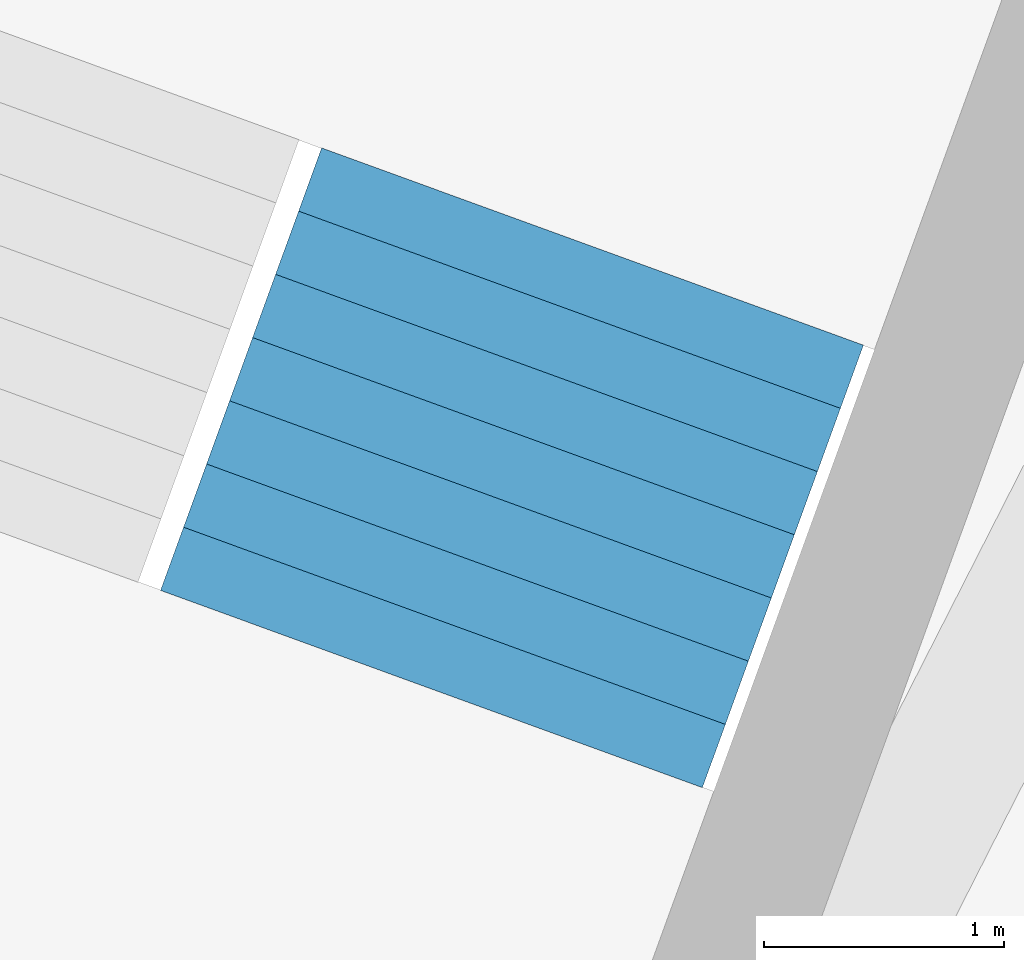
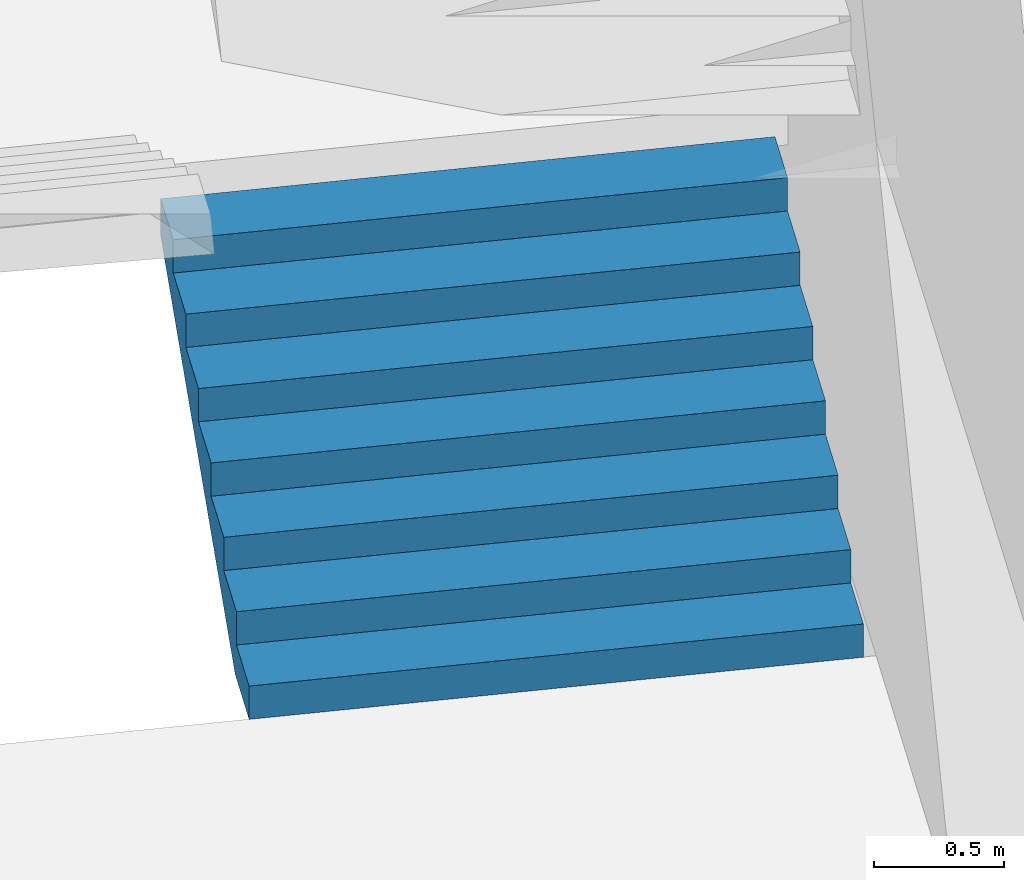
# One storey, part 47 of 73: 1 stair flight, 1 element without a shape of its own.
"""IFC4 building model written with IfcOpenShell, lengths in metres."""

from ifc_helpers import new_model, si_unit, direction, frame, origin, place, context, subcontext, project, spatial, triangles, material, type_object, element, aggregate, save


model = new_model("IFC4")

# Units and contexts
model_context = context("Model", 3, precision=1e-05, world=origin(), true_north=direction((0.0, 1.0)))
body_context = subcontext(model_context, "Body", "Model", "MODEL_VIEW")
ifc_project = project(units=[si_unit("LENGTHUNIT", "METRE"), si_unit("AREAUNIT", "SQUARE_METRE"), si_unit("VOLUMEUNIT", "CUBIC_METRE"), si_unit("PLANEANGLEUNIT", "RADIAN"), si_unit("MASSUNIT", "GRAM", prefix="KILO")], contexts=[model_context])

# Site, building, storey
site_placement = place(None, origin())
site = spatial("IfcSite", under=ifc_project, at=site_placement, CompositionType="ELEMENT")
building_placement = place(site_placement, origin())
building = spatial("IfcBuilding", under=site, at=building_placement, Name="Lantaw Convention Tower", CompositionType="ELEMENT")
storey_placement = place(building_placement, frame((0.0, 0.0, 22.0)))
storey = spatial("IfcBuildingStorey", under=building, at=storey_placement, Name="L03", CompositionType="ELEMENT", Elevation=22.0)

# Stair, stair flight
ifc_material = material(Name="Concrete C35/45", Category="concrete")
stair_type = type_object("IfcStairType", Name="Exit stair 2400 riser 156.25 in 4 flights", PredefinedType="HALF_TURN_STAIR", material=ifc_material)
stair_placement = place(storey_placement, origin())
stair = element("IfcStair", 1, at=stair_placement, inside=storey, type_object=stair_type, Name="Podium exit stair P5 L03", PredefinedType="HALF_TURN_STAIR")
stair_flight_type = type_object("IfcStairFlightType", Name="Stair flight 2400 riser 156.25", PredefinedType="STRAIGHT", material=ifc_material)
stair_flight_placement = place(storey_placement, frame((10.476318359375, 25.128662109375, 0.0), z_axis=(0.0, 0.0, 1.0), x_axis=(0.342020143326, 0.939692620786, 0.0)))
stair_flight = element("IfcStairFlight", 2, at=stair_flight_placement, type_object=stair_flight_type, Name="P5 flight 1", NumberOfRisers=8, NumberOfTreads=7, PredefinedType="STRAIGHT", RiserHeight=0.15625, TreadLength=0.28, context=body_context, shape_type="Tessellation", body=[
    triangles([(0.0, 1.199951171875, 0.0), (0.0, 1.199951171875, 0.15625), (0.28, 1.199951171875, 0.0), (0.28, 1.199951171875, 0.15625), (0.28, 1.199951171875, 0.3125), (0.3076200632058044, 1.199951171875, 0.0), (0.3076200632058044, 1.199951171875, 0.3125), (0.56, 1.199951171875, 0.14083701830033238), (0.56, 1.199951171875, 0.3125), (0.56, 1.199951171875, 0.46875), (0.8400000000000001, 1.199951171875, 0.29708701830033235), (0.8400000000000001, 1.199951171875, 0.46875), (0.8400000000000001, 1.199951171875, 0.625), (1.12, 1.199951171875, 0.45333701830033235), (1.12, 1.199951171875, 0.625), (1.12, 1.199951171875, 0.78125), (1.4000000000000001, 1.199951171875, 0.6095870183003324), (1.4000000000000001, 1.199951171875, 0.78125), (1.4000000000000001, 1.199951171875, 0.9375), (1.6800000000000002, 1.199951171875, 0.7658370183003324), (1.6800000000000002, 1.199951171875, 0.9375), (1.6800000000000002, 1.199951171875, 1.09375), (1.9600000000000002, 1.199951171875, 0.9220870183003324), (1.9600000000000002, 1.199951171875, 1.09375), (0.0, -1.199951171875, 0.0), (0.0, -1.199951171875, 0.15625), (0.28, -1.199951171875, 0.0), (0.28, -1.199951171875, 0.15625), (0.28, -1.199951171875, 0.3125), (0.3076200632058044, -1.199951171875, 0.0), (0.3076200632058044, -1.199951171875, 0.3125), (0.56, -1.199951171875, 0.14083701830033238), (0.56, -1.199951171875, 0.3125), (0.56, -1.199951171875, 0.46875), (0.8400000000000001, -1.199951171875, 0.29708701830033235), (0.8400000000000001, -1.199951171875, 0.46875), (0.8400000000000001, -1.199951171875, 0.625), (1.12, -1.199951171875, 0.45333701830033235), (1.12, -1.199951171875, 0.625), (1.12, -1.199951171875, 0.78125), (1.4000000000000001, -1.199951171875, 0.6095870183003324), (1.4000000000000001, -1.199951171875, 0.78125), (1.4000000000000001, -1.199951171875, 0.9375), (1.6800000000000002, -1.199951171875, 0.7658370183003324), (1.6800000000000002, -1.199951171875, 0.9375), (1.6800000000000002, -1.199951171875, 1.09375), (1.9600000000000002, -1.199951171875, 0.9220870183003324), (1.9600000000000002, -1.199951171875, 1.09375), (0.0, 0.239990234375, 0.15625), (0.0, 0.239990234375, 0.0), (0.0, 0.1919921875, 0.15625), (0.0, 0.1919921875, 0.0), (0.0, 0.143994140625, 0.15625), (0.0, 0.143994140625, 0.0), (0.0, 0.09599609375, 0.15625), (0.0, 0.09599609375, 0.0), (0.0, 0.047998046875, 0.15625), (0.0, 0.047998046875, 0.0), (0.0, 0.0, 0.15625), (0.0, 0.0, 0.0), (0.0, -0.047998046875, 0.15625), (0.0, -0.047998046875, 0.0), (0.0, -0.09599609375, 0.15625), (0.0, -0.09599609375, 0.0), (0.0, -0.143994140625, 0.15625), (0.0, -0.143994140625, 0.0), (0.0, -0.1919921875, 0.15625), (0.0, -0.1919921875, 0.0), (0.0, -0.239990234375, 0.15625), (0.0, -0.239990234375, 0.0), (0.28, 0.239990234375, 0.3125), (0.28, 0.239990234375, 0.15625), (0.28, 0.1919921875, 0.3125), (0.28, 0.1919921875, 0.15625), (0.28, 0.143994140625, 0.3125), (0.28, 0.143994140625, 0.15625), (0.28, 0.09599609375, 0.3125), (0.28, 0.09599609375, 0.15625), (0.28, 0.047998046875, 0.3125), (0.28, 0.047998046875, 0.15625), (0.28, 0.0, 0.3125), (0.28, 0.0, 0.15625), (0.28, -0.047998046875, 0.3125), (0.28, -0.047998046875, 0.15625), (0.28, -0.09599609375, 0.3125), (0.28, -0.09599609375, 0.15625), (0.28, -0.143994140625, 0.3125), (0.28, -0.143994140625, 0.15625), (0.28, -0.1919921875, 0.3125), (0.28, -0.1919921875, 0.15625), (0.28, -0.239990234375, 0.3125), (0.28, -0.239990234375, 0.15625), (0.56, 0.239990234375, 0.46875), (0.56, 0.239990234375, 0.3125), (0.56, 0.1919921875, 0.46875), (0.56, 0.1919921875, 0.3125), (0.56, 0.143994140625, 0.46875), (0.56, 0.143994140625, 0.3125), (0.56, 0.09599609375, 0.46875), (0.56, 0.09599609375, 0.3125), (0.56, 0.047998046875, 0.46875), (0.56, 0.047998046875, 0.3125), (0.56, 0.0, 0.46875), (0.56, 0.0, 0.3125), (0.56, -0.047998046875, 0.46875), (0.56, -0.047998046875, 0.3125), (0.56, -0.09599609375, 0.46875), (0.56, -0.09599609375, 0.3125), (0.56, -0.143994140625, 0.46875), (0.56, -0.143994140625, 0.3125), (0.56, -0.1919921875, 0.46875), (0.56, -0.1919921875, 0.3125), (0.56, -0.239990234375, 0.46875), (0.56, -0.239990234375, 0.3125), (0.8400000000000001, 0.239990234375, 0.625), (0.8400000000000001, 0.239990234375, 0.46875), (0.8400000000000001, 0.1919921875, 0.625), (0.8400000000000001, 0.1919921875, 0.46875), (0.8400000000000001, 0.143994140625, 0.625), (0.8400000000000001, 0.143994140625, 0.46875), (0.8400000000000001, 0.09599609375, 0.625), (0.8400000000000001, 0.09599609375, 0.46875), (0.8400000000000001, 0.047998046875, 0.625), (0.8400000000000001, 0.047998046875, 0.46875), (0.8400000000000001, 0.0, 0.625), (0.8400000000000001, 0.0, 0.46875), (0.8400000000000001, -0.047998046875, 0.625), (0.8400000000000001, -0.047998046875, 0.46875), (0.8400000000000001, -0.09599609375, 0.625), (0.8400000000000001, -0.09599609375, 0.46875), (0.8400000000000001, -0.143994140625, 0.625), (0.8400000000000001, -0.143994140625, 0.46875), (0.8400000000000001, -0.1919921875, 0.625), (0.8400000000000001, -0.1919921875, 0.46875), (0.8400000000000001, -0.239990234375, 0.625), (0.8400000000000001, -0.239990234375, 0.46875), (1.12, 0.239990234375, 0.78125), (1.12, 0.239990234375, 0.625), (1.12, 0.1919921875, 0.78125), (1.12, 0.1919921875, 0.625), (1.12, 0.143994140625, 0.78125), (1.12, 0.143994140625, 0.625), (1.12, 0.09599609375, 0.78125), (1.12, 0.09599609375, 0.625), (1.12, 0.047998046875, 0.78125), (1.12, 0.047998046875, 0.625), (1.12, 0.0, 0.78125), (1.12, 0.0, 0.625), (1.12, -0.047998046875, 0.78125), (1.12, -0.047998046875, 0.625), (1.12, -0.09599609375, 0.78125), (1.12, -0.09599609375, 0.625), (1.12, -0.143994140625, 0.78125), (1.12, -0.143994140625, 0.625), (1.12, -0.1919921875, 0.78125), (1.12, -0.1919921875, 0.625), (1.12, -0.239990234375, 0.78125), (1.12, -0.239990234375, 0.625), (1.4000000000000001, 0.239990234375, 0.9375), (1.4000000000000001, 0.239990234375, 0.78125), (1.4000000000000001, 0.1919921875, 0.9375), (1.4000000000000001, 0.1919921875, 0.78125), (1.4000000000000001, 0.143994140625, 0.9375), (1.4000000000000001, 0.143994140625, 0.78125), (1.4000000000000001, 0.09599609375, 0.9375), (1.4000000000000001, 0.09599609375, 0.78125), (1.4000000000000001, 0.047998046875, 0.9375), (1.4000000000000001, 0.047998046875, 0.78125), (1.4000000000000001, 0.0, 0.9375), (1.4000000000000001, 0.0, 0.78125), (1.4000000000000001, -0.047998046875, 0.9375), (1.4000000000000001, -0.047998046875, 0.78125), (1.4000000000000001, -0.09599609375, 0.9375), (1.4000000000000001, -0.09599609375, 0.78125), (1.4000000000000001, -0.143994140625, 0.9375), (1.4000000000000001, -0.143994140625, 0.78125), (1.4000000000000001, -0.1919921875, 0.9375), (1.4000000000000001, -0.1919921875, 0.78125), (1.4000000000000001, -0.239990234375, 0.9375), (1.4000000000000001, -0.239990234375, 0.78125), (1.6800000000000002, 0.239990234375, 1.09375), (1.6800000000000002, 0.239990234375, 0.9375), (1.6800000000000002, 0.1919921875, 1.09375), (1.6800000000000002, 0.1919921875, 0.9375), (1.6800000000000002, 0.143994140625, 1.09375), (1.6800000000000002, 0.143994140625, 0.9375), (1.6800000000000002, 0.09599609375, 1.09375), (1.6800000000000002, 0.09599609375, 0.9375), (1.6800000000000002, 0.047998046875, 1.09375), (1.6800000000000002, 0.047998046875, 0.9375), (1.6800000000000002, 0.0, 1.09375), (1.6800000000000002, 0.0, 0.9375), (1.6800000000000002, -0.047998046875, 1.09375), (1.6800000000000002, -0.047998046875, 0.9375), (1.6800000000000002, -0.09599609375, 1.09375), (1.6800000000000002, -0.09599609375, 0.9375), (1.6800000000000002, -0.143994140625, 1.09375), (1.6800000000000002, -0.143994140625, 0.9375), (1.6800000000000002, -0.1919921875, 1.09375), (1.6800000000000002, -0.1919921875, 0.9375), (1.6800000000000002, -0.239990234375, 1.09375), (1.6800000000000002, -0.239990234375, 0.9375), (0.3076200632058044, 0.239990234375, 0.3125), (0.3076200632058044, 0.1919921875, 0.3125), (0.3076200632058044, 0.143994140625, 0.3125), (0.3076200632058044, 0.09599609375, 0.3125), (0.3076200632058044, 0.047998046875, 0.3125), (0.3076200632058044, 0.0, 0.3125), (0.3076200632058044, -0.047998046875, 0.3125), (0.3076200632058044, -0.09599609375, 0.3125), (0.3076200632058044, -0.143994140625, 0.3125), (0.3076200632058044, -0.1919921875, 0.3125), (0.3076200632058044, -0.239990234375, 0.3125), (1.9600000000000002, 0.239990234375, 1.09375), (1.9600000000000002, 0.1919921875, 1.09375), (1.9600000000000002, 0.143994140625, 1.09375), (1.9600000000000002, 0.09599609375, 1.09375), (1.9600000000000002, 0.047998046875, 1.09375), (1.9600000000000002, 0.0, 1.09375), (1.9600000000000002, -0.047998046875, 1.09375), (1.9600000000000002, -0.09599609375, 1.09375), (1.9600000000000002, -0.143994140625, 1.09375), (1.9600000000000002, -0.1919921875, 1.09375), (1.9600000000000002, -0.239990234375, 1.09375), (1.9600000000000002, 0.239990234375, 0.9220870183003324), (1.9600000000000002, 0.1919921875, 0.9220870183003324), (1.9600000000000002, 0.143994140625, 0.9220870183003324), (1.9600000000000002, 0.09599609375, 0.9220870183003324), (1.9600000000000002, 0.047998046875, 0.9220870183003324), (1.9600000000000002, 0.0, 0.9220870183003324), (1.9600000000000002, -0.047998046875, 0.9220870183003324), (1.9600000000000002, -0.09599609375, 0.9220870183003324), (1.9600000000000002, -0.143994140625, 0.9220870183003324), (1.9600000000000002, -0.1919921875, 0.9220870183003324), (1.9600000000000002, -0.239990234375, 0.9220870183003324), (1.6800000000000002, 0.239990234375, 0.7658370183003324), (1.6800000000000002, 0.1919921875, 0.7658370183003324), (1.6800000000000002, 0.143994140625, 0.7658370183003324), (1.6800000000000002, 0.09599609375, 0.7658370183003324), (1.6800000000000002, 0.047998046875, 0.7658370183003324), (1.6800000000000002, 0.0, 0.7658370183003324), (1.6800000000000002, -0.047998046875, 0.7658370183003324), (1.6800000000000002, -0.09599609375, 0.7658370183003324), (1.6800000000000002, -0.143994140625, 0.7658370183003324), (1.6800000000000002, -0.1919921875, 0.7658370183003324), (1.6800000000000002, -0.239990234375, 0.7658370183003324), (1.4000000000000001, 0.239990234375, 0.6095870183003324), (1.4000000000000001, 0.1919921875, 0.6095870183003324), (1.4000000000000001, 0.143994140625, 0.6095870183003324), (1.4000000000000001, 0.09599609375, 0.6095870183003324), (1.4000000000000001, 0.047998046875, 0.6095870183003324), (1.4000000000000001, 0.0, 0.6095870183003324), (1.4000000000000001, -0.047998046875, 0.6095870183003324), (1.4000000000000001, -0.09599609375, 0.6095870183003324), (1.4000000000000001, -0.143994140625, 0.6095870183003324), (1.4000000000000001, -0.1919921875, 0.6095870183003324), (1.4000000000000001, -0.239990234375, 0.6095870183003324), (1.12, 0.239990234375, 0.45333701830033235), (1.12, 0.1919921875, 0.45333701830033235), (1.12, 0.143994140625, 0.45333701830033235), (1.12, 0.09599609375, 0.45333701830033235), (1.12, 0.047998046875, 0.45333701830033235), (1.12, 0.0, 0.45333701830033235), (1.12, -0.047998046875, 0.45333701830033235), (1.12, -0.09599609375, 0.45333701830033235), (1.12, -0.143994140625, 0.45333701830033235), (1.12, -0.1919921875, 0.45333701830033235), (1.12, -0.239990234375, 0.45333701830033235), (0.8400000000000001, 0.239990234375, 0.29708701830033235), (0.8400000000000001, 0.1919921875, 0.29708701830033235), (0.8400000000000001, 0.143994140625, 0.29708701830033235), (0.8400000000000001, 0.09599609375, 0.29708701830033235), (0.8400000000000001, 0.047998046875, 0.29708701830033235), (0.8400000000000001, 0.0, 0.29708701830033235), (0.8400000000000001, -0.047998046875, 0.29708701830033235), (0.8400000000000001, -0.09599609375, 0.29708701830033235), (0.8400000000000001, -0.143994140625, 0.29708701830033235), (0.8400000000000001, -0.1919921875, 0.29708701830033235), (0.8400000000000001, -0.239990234375, 0.29708701830033235), (0.56, 0.239990234375, 0.14083701830033238), (0.56, 0.1919921875, 0.14083701830033238), (0.56, 0.143994140625, 0.14083701830033238), (0.56, 0.09599609375, 0.14083701830033238), (0.56, 0.047998046875, 0.14083701830033238), (0.56, 0.0, 0.14083701830033238), (0.56, -0.047998046875, 0.14083701830033238), (0.56, -0.09599609375, 0.14083701830033238), (0.56, -0.143994140625, 0.14083701830033238), (0.56, -0.1919921875, 0.14083701830033238), (0.56, -0.239990234375, 0.14083701830033238), (0.3076200632058044, 0.239990234375, 0.0), (0.3076200632058044, 0.1919921875, 0.0), (0.3076200632058044, 0.143994140625, 0.0), (0.3076200632058044, 0.09599609375, 0.0), (0.3076200632058044, 0.047998046875, 0.0), (0.3076200632058044, 0.0, 0.0), (0.3076200632058044, -0.047998046875, 0.0), (0.3076200632058044, -0.09599609375, 0.0), (0.3076200632058044, -0.143994140625, 0.0), (0.3076200632058044, -0.1919921875, 0.0), (0.3076200632058044, -0.239990234375, 0.0), (0.28, 0.239990234375, 0.0), (0.28, 0.1919921875, 0.0), (0.28, 0.143994140625, 0.0), (0.28, 0.09599609375, 0.0), (0.28, 0.047998046875, 0.0), (0.28, 0.0, 0.0), (0.28, -0.047998046875, 0.0), (0.28, -0.09599609375, 0.0), (0.28, -0.143994140625, 0.0), (0.28, -0.1919921875, 0.0), (0.28, -0.239990234375, 0.0)], [[1, 4, 3], [1, 2, 4], [3, 4, 6], [4, 7, 6], [4, 5, 7], [6, 9, 8], [6, 7, 9], [8, 9, 11], [9, 12, 11], [9, 10, 12], [11, 12, 14], [12, 15, 14], [12, 13, 15], [14, 15, 17], [15, 18, 17], [15, 16, 18], [17, 18, 20], [18, 21, 20], [18, 19, 21], [20, 21, 23], [21, 24, 23], [21, 22, 24], [25, 27, 28], [25, 28, 26], [27, 30, 28], [28, 30, 31], [28, 31, 29], [30, 32, 33], [30, 33, 31], [32, 35, 33], [33, 35, 36], [33, 36, 34], [35, 38, 36], [36, 38, 39], [36, 39, 37], [38, 41, 39], [39, 41, 42], [39, 42, 40], [41, 44, 42], [42, 44, 45], [42, 45, 43], [44, 47, 45], [45, 47, 48], [45, 48, 46], [1, 49, 2], [1, 50, 49], [50, 51, 49], [50, 52, 51], [52, 53, 51], [52, 54, 53], [54, 55, 53], [54, 56, 55], [56, 57, 55], [56, 58, 57], [58, 59, 57], [58, 60, 59], [60, 61, 59], [60, 62, 61], [62, 63, 61], [62, 64, 63], [64, 65, 63], [64, 66, 65], [66, 67, 65], [66, 68, 67], [68, 69, 67], [68, 70, 69], [70, 26, 69], [70, 25, 26], [4, 71, 5], [4, 72, 71], [72, 73, 71], [72, 74, 73], [74, 75, 73], [74, 76, 75], [76, 77, 75], [76, 78, 77], [78, 79, 77], [78, 80, 79], [80, 81, 79], [80, 82, 81], [82, 83, 81], [82, 84, 83], [84, 85, 83], [84, 86, 85], [86, 87, 85], [86, 88, 87], [88, 89, 87], [88, 90, 89], [90, 91, 89], [90, 92, 91], [92, 29, 91], [92, 28, 29], [9, 93, 10], [9, 94, 93], [94, 95, 93], [94, 96, 95], [96, 97, 95], [96, 98, 97], [98, 99, 97], [98, 100, 99], [100, 101, 99], [100, 102, 101], [102, 103, 101], [102, 104, 103], [104, 105, 103], [104, 106, 105], [106, 107, 105], [106, 108, 107], [108, 109, 107], [108, 110, 109], [110, 111, 109], [110, 112, 111], [112, 113, 111], [112, 114, 113], [114, 34, 113], [114, 33, 34], [12, 115, 13], [12, 116, 115], [116, 117, 115], [116, 118, 117], [118, 119, 117], [118, 120, 119], [120, 121, 119], [120, 122, 121], [122, 123, 121], [122, 124, 123], [124, 125, 123], [124, 126, 125], [126, 127, 125], [126, 128, 127], [128, 129, 127], [128, 130, 129], [130, 131, 129], [130, 132, 131], [132, 133, 131], [132, 134, 133], [134, 135, 133], [134, 136, 135], [136, 37, 135], [136, 36, 37], [15, 137, 16], [15, 138, 137], [138, 139, 137], [138, 140, 139], [140, 141, 139], [140, 142, 141], [142, 143, 141], [142, 144, 143], [144, 145, 143], [144, 146, 145], [146, 147, 145], [146, 148, 147], [148, 149, 147], [148, 150, 149], [150, 151, 149], [150, 152, 151], [152, 153, 151], [152, 154, 153], [154, 155, 153], [154, 156, 155], [156, 157, 155], [156, 158, 157], [158, 40, 157], [158, 39, 40], [18, 159, 19], [18, 160, 159], [160, 161, 159], [160, 162, 161], [162, 163, 161], [162, 164, 163], [164, 165, 163], [164, 166, 165], [166, 167, 165], [166, 168, 167], [168, 169, 167], [168, 170, 169], [170, 171, 169], [170, 172, 171], [172, 173, 171], [172, 174, 173], [174, 175, 173], [174, 176, 175], [176, 177, 175], [176, 178, 177], [178, 179, 177], [178, 180, 179], [180, 43, 179], [180, 42, 43], [21, 181, 22], [21, 182, 181], [182, 183, 181], [182, 184, 183], [184, 185, 183], [184, 186, 185], [186, 187, 185], [186, 188, 187], [188, 189, 187], [188, 190, 189], [190, 191, 189], [190, 192, 191], [192, 193, 191], [192, 194, 193], [194, 195, 193], [194, 196, 195], [196, 197, 195], [196, 198, 197], [198, 199, 197], [198, 200, 199], [200, 201, 199], [200, 202, 201], [202, 46, 201], [202, 45, 46], [2, 72, 4], [2, 49, 72], [49, 74, 72], [49, 51, 74], [51, 76, 74], [51, 53, 76], [53, 78, 76], [53, 55, 78], [55, 80, 78], [55, 57, 80], [57, 82, 80], [57, 59, 82], [59, 84, 82], [59, 61, 84], [61, 86, 84], [61, 63, 86], [63, 88, 86], [63, 65, 88], [65, 90, 88], [65, 67, 90], [67, 92, 90], [67, 69, 92], [69, 28, 92], [69, 26, 28], [5, 203, 7], [5, 71, 203], [71, 204, 203], [71, 73, 204], [73, 205, 204], [73, 75, 205], [75, 206, 205], [75, 77, 206], [77, 207, 206], [77, 79, 207], [79, 208, 207], [79, 81, 208], [81, 209, 208], [81, 83, 209], [83, 210, 209], [83, 85, 210], [85, 211, 210], [85, 87, 211], [87, 212, 211], [87, 89, 212], [89, 213, 212], [89, 91, 213], [91, 31, 213], [91, 29, 31], [7, 94, 9], [7, 203, 94], [203, 96, 94], [203, 204, 96], [204, 98, 96], [204, 205, 98], [205, 100, 98], [205, 206, 100], [206, 102, 100], [206, 207, 102], [207, 104, 102], [207, 208, 104], [208, 106, 104], [208, 209, 106], [209, 108, 106], [209, 210, 108], [210, 110, 108], [210, 211, 110], [211, 112, 110], [211, 212, 112], [212, 114, 112], [212, 213, 114], [213, 33, 114], [213, 31, 33], [10, 116, 12], [10, 93, 116], [93, 118, 116], [93, 95, 118], [95, 120, 118], [95, 97, 120], [97, 122, 120], [97, 99, 122], [99, 124, 122], [99, 101, 124], [101, 126, 124], [101, 103, 126], [103, 128, 126], [103, 105, 128], [105, 130, 128], [105, 107, 130], [107, 132, 130], [107, 109, 132], [109, 134, 132], [109, 111, 134], [111, 136, 134], [111, 113, 136], [113, 36, 136], [113, 34, 36], [13, 138, 15], [13, 115, 138], [115, 140, 138], [115, 117, 140], [117, 142, 140], [117, 119, 142], [119, 144, 142], [119, 121, 144], [121, 146, 144], [121, 123, 146], [123, 148, 146], [123, 125, 148], [125, 150, 148], [125, 127, 150], [127, 152, 150], [127, 129, 152], [129, 154, 152], [129, 131, 154], [131, 156, 154], [131, 133, 156], [133, 158, 156], [133, 135, 158], [135, 39, 158], [135, 37, 39], [16, 160, 18], [16, 137, 160], [137, 162, 160], [137, 139, 162], [139, 164, 162], [139, 141, 164], [141, 166, 164], [141, 143, 166], [143, 168, 166], [143, 145, 168], [145, 170, 168], [145, 147, 170], [147, 172, 170], [147, 149, 172], [149, 174, 172], [149, 151, 174], [151, 176, 174], [151, 153, 176], [153, 178, 176], [153, 155, 178], [155, 180, 178], [155, 157, 180], [157, 42, 180], [157, 40, 42], [19, 182, 21], [19, 159, 182], [159, 184, 182], [159, 161, 184], [161, 186, 184], [161, 163, 186], [163, 188, 186], [163, 165, 188], [165, 190, 188], [165, 167, 190], [167, 192, 190], [167, 169, 192], [169, 194, 192], [169, 171, 194], [171, 196, 194], [171, 173, 196], [173, 198, 196], [173, 175, 198], [175, 200, 198], [175, 177, 200], [177, 202, 200], [177, 179, 202], [179, 45, 202], [179, 43, 45], [22, 214, 24], [22, 181, 214], [181, 215, 214], [181, 183, 215], [183, 216, 215], [183, 185, 216], [185, 217, 216], [185, 187, 217], [187, 218, 217], [187, 189, 218], [189, 219, 218], [189, 191, 219], [191, 220, 219], [191, 193, 220], [193, 221, 220], [193, 195, 221], [195, 222, 221], [195, 197, 222], [197, 223, 222], [197, 199, 223], [199, 224, 223], [199, 201, 224], [201, 48, 224], [201, 46, 48], [24, 225, 23], [24, 214, 225], [214, 226, 225], [214, 215, 226], [215, 227, 226], [215, 216, 227], [216, 228, 227], [216, 217, 228], [217, 229, 228], [217, 218, 229], [218, 230, 229], [218, 219, 230], [219, 231, 230], [219, 220, 231], [220, 232, 231], [220, 221, 232], [221, 233, 232], [221, 222, 233], [222, 234, 233], [222, 223, 234], [223, 235, 234], [223, 224, 235], [224, 47, 235], [224, 48, 47], [23, 236, 20], [23, 225, 236], [225, 237, 236], [225, 226, 237], [226, 238, 237], [226, 227, 238], [227, 239, 238], [227, 228, 239], [228, 240, 239], [228, 229, 240], [229, 241, 240], [229, 230, 241], [230, 242, 241], [230, 231, 242], [231, 243, 242], [231, 232, 243], [232, 244, 243], [232, 233, 244], [233, 245, 244], [233, 234, 245], [234, 246, 245], [234, 235, 246], [235, 44, 246], [235, 47, 44], [20, 247, 17], [20, 236, 247], [236, 248, 247], [236, 237, 248], [237, 249, 248], [237, 238, 249], [238, 250, 249], [238, 239, 250], [239, 251, 250], [239, 240, 251], [240, 252, 251], [240, 241, 252], [241, 253, 252], [241, 242, 253], [242, 254, 253], [242, 243, 254], [243, 255, 254], [243, 244, 255], [244, 256, 255], [244, 245, 256], [245, 257, 256], [245, 246, 257], [246, 41, 257], [246, 44, 41], [17, 258, 14], [17, 247, 258], [247, 259, 258], [247, 248, 259], [248, 260, 259], [248, 249, 260], [249, 261, 260], [249, 250, 261], [250, 262, 261], [250, 251, 262], [251, 263, 262], [251, 252, 263], [252, 264, 263], [252, 253, 264], [253, 265, 264], [253, 254, 265], [254, 266, 265], [254, 255, 266], [255, 267, 266], [255, 256, 267], [256, 268, 267], [256, 257, 268], [257, 38, 268], [257, 41, 38], [14, 269, 11], [14, 258, 269], [258, 270, 269], [258, 259, 270], [259, 271, 270], [259, 260, 271], [260, 272, 271], [260, 261, 272], [261, 273, 272], [261, 262, 273], [262, 274, 273], [262, 263, 274], [263, 275, 274], [263, 264, 275], [264, 276, 275], [264, 265, 276], [265, 277, 276], [265, 266, 277], [266, 278, 277], [266, 267, 278], [267, 279, 278], [267, 268, 279], [268, 35, 279], [268, 38, 35], [11, 280, 8], [11, 269, 280], [269, 281, 280], [269, 270, 281], [270, 282, 281], [270, 271, 282], [271, 283, 282], [271, 272, 283], [272, 284, 283], [272, 273, 284], [273, 285, 284], [273, 274, 285], [274, 286, 285], [274, 275, 286], [275, 287, 286], [275, 276, 287], [276, 288, 287], [276, 277, 288], [277, 289, 288], [277, 278, 289], [278, 290, 289], [278, 279, 290], [279, 32, 290], [279, 35, 32], [8, 291, 6], [8, 280, 291], [280, 292, 291], [280, 281, 292], [281, 293, 292], [281, 282, 293], [282, 294, 293], [282, 283, 294], [283, 295, 294], [283, 284, 295], [284, 296, 295], [284, 285, 296], [285, 297, 296], [285, 286, 297], [286, 298, 297], [286, 287, 298], [287, 299, 298], [287, 288, 299], [288, 300, 299], [288, 289, 300], [289, 301, 300], [289, 290, 301], [290, 30, 301], [290, 32, 30], [6, 302, 3], [6, 291, 302], [291, 303, 302], [291, 292, 303], [292, 304, 303], [292, 293, 304], [293, 305, 304], [293, 294, 305], [294, 306, 305], [294, 295, 306], [295, 307, 306], [295, 296, 307], [296, 308, 307], [296, 297, 308], [297, 309, 308], [297, 298, 309], [298, 310, 309], [298, 299, 310], [299, 311, 310], [299, 300, 311], [300, 312, 311], [300, 301, 312], [301, 27, 312], [301, 30, 27], [3, 50, 1], [3, 302, 50], [302, 52, 50], [302, 303, 52], [303, 54, 52], [303, 304, 54], [304, 56, 54], [304, 305, 56], [305, 58, 56], [305, 306, 58], [306, 60, 58], [306, 307, 60], [307, 62, 60], [307, 308, 62], [308, 64, 62], [308, 309, 64], [309, 66, 64], [309, 310, 66], [310, 68, 66], [310, 311, 68], [311, 70, 68], [311, 312, 70], [312, 25, 70], [312, 27, 25]], closed=True),
])
aggregate(stair, [stair_flight])

save(model, "model.ifc")
